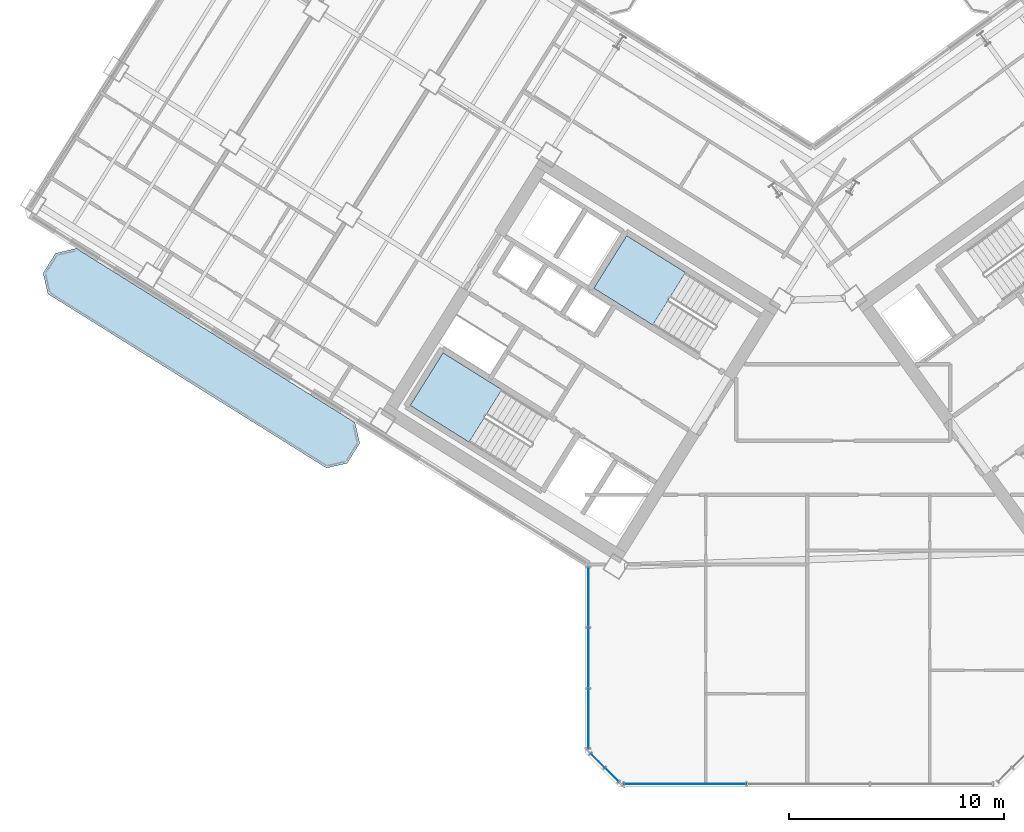
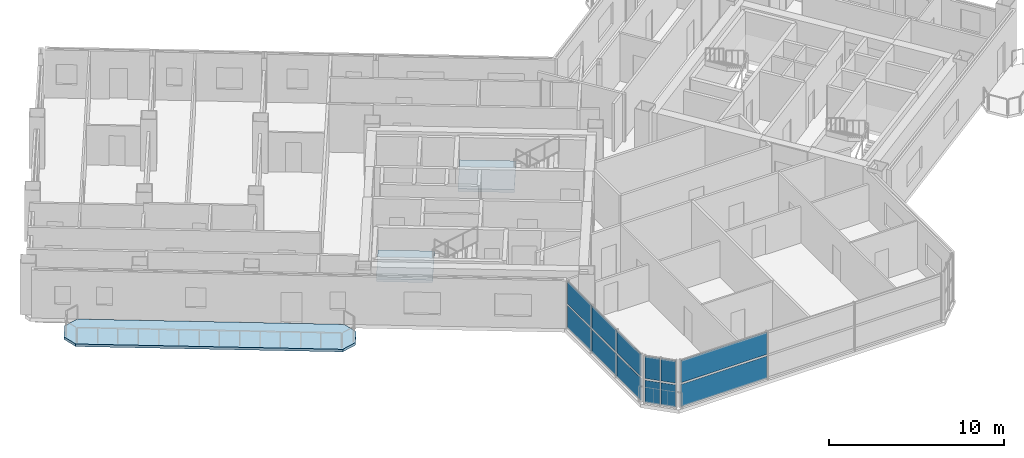
# One storey, part 8 of 21: 12 plates, 3 slabs, 5 elements without a shape of their own.
"""IFC4 building model written with IfcOpenShell, lengths in metres."""

from ifc_helpers import new_model, si_unit, direction, frame, origin, origin_2d, place, context, subcontext, project, spatial, polyline, rectangle, outline, extrude, source, transform, mapped, material, layer, layer_set, type_object, element, aggregate, save


model = new_model("IFC4")

# Units and contexts
model_context = context("Model", 3, precision=1e-05, world=origin(), true_north=direction((0.0, 1.0)))
body_context = subcontext(model_context, "Body", "Model", "MODEL_VIEW")
ifc_project = project(units=[si_unit("LENGTHUNIT", "METRE"), si_unit("AREAUNIT", "SQUARE_METRE"), si_unit("VOLUMEUNIT", "CUBIC_METRE"), si_unit("PLANEANGLEUNIT", "RADIAN"), si_unit("MASSUNIT", "GRAM", prefix="KILO")], contexts=[model_context])

# Site, building, storey
site_placement = place(None, origin())
site = spatial("IfcSite", under=ifc_project, at=site_placement, CompositionType="ELEMENT")
building_placement = place(site_placement, origin())
building = spatial("IfcBuilding", under=site, at=building_placement, Name="Tlacorven Tower", CompositionType="ELEMENT")
storey_placement = place(building_placement, frame((0.0, 0.0, 105.300048828125)))
storey = spatial("IfcBuildingStorey", under=building, at=storey_placement, Name="L26", CompositionType="ELEMENT", Elevation=105.300048828125)

# Slab
ifc_material_1 = material(Name="Precast concrete C45/55", Category="concrete")
ifc_layer_1 = layer(ifc_material_1, 0.179931640625)
ifc_layer_set_1 = layer_set([ifc_layer_1], Name="Precast concrete C45/55")
slab_type_1 = type_object("IfcSlabType", Name="SL-BAL-180", PredefinedType="USERDEFINED", material=ifc_layer_set_1)
slab_1_placement = place(storey_placement, frame((0.0, 0.0, -0.179931640625)))
element("IfcSlab", 1, at=slab_1_placement, inside=storey, type_object=slab_type_1, Name="L26 West Wing Balcony Ribbon OUT", ObjectType="BALCONY SLAB", PredefinedType="USERDEFINED", context=body_context, shape_type="SweptSolid", body=[
    extrude(outline(polyline([(20.88671875, 18.78271484375), (7.91162109375, 26.890625), (6.947021484375, 26.66796875), (6.366943359375, 25.7392578125), (6.589599609375, 24.774658203125), (19.564697265625, 16.6669921875), (20.529296875, 16.8896484375), (21.109375, 17.818115234375), (20.88671875, 18.78271484375)])), origin(), (0.0, 0.0, 1.0), 0.179931640625),
])

# Stair, slab
ifc_material_2 = material(Name="Concrete C40/50", Category="concrete")
stair_type = type_object("IfcStairType", Name="ST-CORE-DLG", PredefinedType="HALF_TURN_STAIR", material=ifc_material_2)
stair_1_placement = place(storey_placement, origin())
stair_1 = element("IfcStair", 2, at=stair_1_placement, inside=storey, type_object=stair_type, Name="L26 Protected Exit Stair West 1", PredefinedType="HALF_TURN_STAIR")
ifc_layer_2 = layer(ifc_material_2, 0.199951171875)
ifc_layer_set_2 = layer_set([ifc_layer_2], Name="Concrete C40/50")
slab_type_2 = type_object("IfcSlabType", Name="SL-LND-200", PredefinedType="LANDING", material=ifc_layer_set_2)
slab_2_placement = place(storey_placement, frame((0.0, 0.0, 1.599853515625)))
slab_2 = element("IfcSlab", 3, at=slab_2_placement, type_object=slab_type_2, Name="ST-W1 landing 1", PredefinedType="LANDING", context=body_context, shape_type="SweptSolid", body=[
    extrude(outline(polyline([(27.728515625, 20.315185546875), (24.9892578125, 22.02685546875), (23.463134765625, 19.58447265625), (26.2021484375, 17.872802734375), (27.728515625, 20.315185546875)])), origin(), (0.0, 0.0, 1.0), 0.2001953125),
])
aggregate(stair_1, [slab_2])

stair_2_placement = place(storey_placement, origin())
stair_2 = element("IfcStair", 4, at=stair_2_placement, inside=storey, type_object=stair_type, Name="L26 Protected Exit Stair West 2", PredefinedType="HALF_TURN_STAIR")
slab_3_placement = place(storey_placement, frame((0.0, 0.0, 1.599853515625)))
slab_3 = element("IfcSlab", 5, at=slab_3_placement, type_object=slab_type_2, Name="ST-W2 landing 1", PredefinedType="LANDING", context=body_context, shape_type="SweptSolid", body=[
    extrude(outline(polyline([(36.280029296875, 25.772705078125), (33.540771484375, 27.484375), (32.0146484375, 25.0419921875), (34.75390625, 23.33056640625), (36.280029296875, 25.772705078125)])), origin(), (0.0, 0.0, 1.0), 0.2001953125),
])
aggregate(stair_2, [slab_3])

# Curtain wall, plates
ifc_material_3 = material(Name="Dark solar low-E double glazing in aluminium frame", Category="aluminium")
curtain_wall_type = type_object("IfcCurtainWallType", Name="CW-TWR-MID", PredefinedType="USERDEFINED", material=ifc_material_3)
curtain_wall_1_placement = place(storey_placement, origin())
curtain_wall_1 = element("IfcCurtainWall", 6, at=curtain_wall_1_placement, inside=storey, type_object=curtain_wall_type, Name="L26 CW-TWR-MID Curtain Wall 133", ObjectType="UNITISED CURTAIN WALL", PredefinedType="USERDEFINED")
ifc_material_4 = material(Name="High-wind dark solar tempered low-E glazing", Category="glass")
ifc_layer_3 = layer(ifc_material_4, 0.028076171875)
ifc_layer_set_3 = layer_set([ifc_layer_3], Name="High-wind dark solar tempered low-E glazing")
plate_type = type_object("IfcPlateType", Name="CWP-03", PredefinedType="CURTAIN_PANEL", material=ifc_layer_set_3)
shared_shape_1 = source(origin(), body_context, "Body", "SweptSolid", [
    extrude(rectangle(XDim=0.885498046875, YDim=0.028076171875, at=origin_2d()), origin(), (0.0, 0.0, 1.0), 1.552978515625),
])
plate_1_placement = place(storey_placement, frame((32.8427734375, 2.38330078125, 0.06103515625), z_axis=(0.0, 0.0, 1.0), x_axis=(-0.707106781187, 0.707106781187, 0.0)))
plate_1 = element("IfcPlate", 7, at=plate_1_placement, type_object=plate_type, Name="CW-L26-133 Glazing Panel 1", PredefinedType="CURTAIN_PANEL", context=body_context, shape_type="MappedRepresentation", body=[
    mapped(shared_shape_1, transform((0.0, 0.0, 0.0), scale=1.0)),
])
plate_2_placement = place(storey_placement, frame((32.8427734375, 2.38330078125, 1.73583984375), z_axis=(0.0, 0.0, 1.0), x_axis=(-0.707106781187, 0.707106781187, 0.0)))
plate_2 = element("IfcPlate", 8, at=plate_2_placement, type_object=plate_type, Name="CW-L26-133 Glazing Panel 2", PredefinedType="CURTAIN_PANEL", context=body_context, shape_type="MappedRepresentation", body=[
    mapped(shared_shape_1, transform((0.0, 0.0, 0.0), scale=1.0)),
])
plate_3_placement = place(storey_placement, frame((32.183349609375, 3.04296875, 0.06103515625), z_axis=(0.0, 0.0, 1.0), x_axis=(-0.707106781187, 0.707106781187, 0.0)))
plate_3 = element("IfcPlate", 9, at=plate_3_placement, type_object=plate_type, Name="CW-L26-133 Glazing Panel 3", PredefinedType="CURTAIN_PANEL", context=body_context, shape_type="MappedRepresentation", body=[
    mapped(shared_shape_1, transform((0.0, 0.0, 0.0), scale=1.0)),
])
plate_4_placement = place(storey_placement, frame((32.183349609375, 3.04296875, 1.73583984375), z_axis=(0.0, 0.0, 1.0), x_axis=(-0.707106781187, 0.707106781187, 0.0)))
plate_4 = element("IfcPlate", 10, at=plate_4_placement, type_object=plate_type, Name="CW-L26-133 Glazing Panel 4", PredefinedType="CURTAIN_PANEL", context=body_context, shape_type="MappedRepresentation", body=[
    mapped(shared_shape_1, transform((0.0, 0.0, 0.0), scale=1.0)),
])
aggregate(curtain_wall_1, [plate_1, plate_2, plate_3, plate_4])

curtain_wall_2_placement = place(storey_placement, origin())
curtain_wall_2 = element("IfcCurtainWall", 11, at=curtain_wall_2_placement, inside=storey, type_object=curtain_wall_type, Name="L26 CW-TWR-MID Curtain Wall 132", ObjectType="UNITISED CURTAIN WALL", PredefinedType="USERDEFINED")
shared_shape_2 = source(origin(), body_context, "Body", "SweptSolid", [
    extrude(rectangle(XDim=5.67626953125, YDim=0.028076171875, at=origin_2d()), origin(), (0.0, 0.0, 1.0), 1.552978515625),
])
plate_5_placement = place(storey_placement, frame((36.260498046875, 1.9599609375, 0.06103515625), z_axis=(0.0, 0.0, 1.0), x_axis=(-1.0, 0.0, 0.0)))
plate_5 = element("IfcPlate", 12, at=plate_5_placement, type_object=plate_type, Name="CW-L26-132 Glazing Panel 5", PredefinedType="CURTAIN_PANEL", context=body_context, shape_type="MappedRepresentation", body=[
    mapped(shared_shape_2, transform((0.0, 0.0, 0.0), scale=1.0)),
])
plate_6_placement = place(storey_placement, frame((36.260498046875, 1.9599609375, 1.73583984375), z_axis=(0.0, 0.0, 1.0), x_axis=(-1.0, 0.0, 0.0)))
plate_6 = element("IfcPlate", 13, at=plate_6_placement, type_object=plate_type, Name="CW-L26-132 Glazing Panel 6", PredefinedType="CURTAIN_PANEL", context=body_context, shape_type="MappedRepresentation", body=[
    mapped(shared_shape_2, transform((0.0, 0.0, 0.0), scale=1.0)),
])
aggregate(curtain_wall_2, [plate_5, plate_6])

curtain_wall_3_placement = place(storey_placement, origin())
curtain_wall_3 = element("IfcCurtainWall", 14, at=curtain_wall_3_placement, inside=storey, type_object=curtain_wall_type, Name="L26 CW-TWR-MID Curtain Wall 134", ObjectType="UNITISED CURTAIN WALL", PredefinedType="USERDEFINED")
shared_shape_3 = source(origin(), body_context, "Body", "SweptSolid", [
    extrude(rectangle(XDim=2.759521484375, YDim=0.028076171875, at=origin_2d()), origin(), (0.0, 0.0, 1.0), 1.552978515625),
])
plate_7_placement = place(storey_placement, frame((31.760009765625, 5.001953125, 0.06103515625), z_axis=(0.0, 0.0, 1.0), x_axis=(0.0, 1.0, 0.0)))
plate_7 = element("IfcPlate", 15, at=plate_7_placement, type_object=plate_type, Name="CW-L26-134 Glazing Panel 1", PredefinedType="CURTAIN_PANEL", context=body_context, shape_type="MappedRepresentation", body=[
    mapped(shared_shape_3, transform((0.0, 0.0, 0.0), scale=1.0)),
])
plate_8_placement = place(storey_placement, frame((31.760009765625, 5.001953125, 1.73583984375), z_axis=(0.0, 0.0, 1.0), x_axis=(0.0, 1.0, 0.0)))
plate_8 = element("IfcPlate", 16, at=plate_8_placement, type_object=plate_type, Name="CW-L26-134 Glazing Panel 2", PredefinedType="CURTAIN_PANEL", context=body_context, shape_type="MappedRepresentation", body=[
    mapped(shared_shape_3, transform((0.0, 0.0, 0.0), scale=1.0)),
])
plate_9_placement = place(storey_placement, frame((31.760009765625, 10.6474609375, 0.06103515625), z_axis=(0.0, 0.0, 1.0), x_axis=(0.0, 1.0, 0.0)))
plate_9 = element("IfcPlate", 17, at=plate_9_placement, type_object=plate_type, Name="CW-L26-134 Glazing Panel 5", PredefinedType="CURTAIN_PANEL", context=body_context, shape_type="MappedRepresentation", body=[
    mapped(shared_shape_3, transform((0.0, 0.0, 0.0), scale=1.0)),
])
plate_10_placement = place(storey_placement, frame((31.760009765625, 10.6474609375, 1.73583984375), z_axis=(0.0, 0.0, 1.0), x_axis=(0.0, 1.0, 0.0)))
plate_10 = element("IfcPlate", 18, at=plate_10_placement, type_object=plate_type, Name="CW-L26-134 Glazing Panel 6", PredefinedType="CURTAIN_PANEL", context=body_context, shape_type="MappedRepresentation", body=[
    mapped(shared_shape_3, transform((0.0, 0.0, 0.0), scale=1.0)),
])
shared_shape_4 = source(origin(), body_context, "Body", "SweptSolid", [
    extrude(rectangle(XDim=2.7919921875, YDim=0.028076171875, at=origin_2d()), origin(), (0.0, 0.0, 1.0), 1.552978515625),
])
plate_11_placement = place(storey_placement, frame((31.760009765625, 7.82470703125, 0.06103515625), z_axis=(0.0, 0.0, 1.0), x_axis=(0.0, 1.0, 0.0)))
plate_11 = element("IfcPlate", 19, at=plate_11_placement, type_object=plate_type, Name="CW-L26-134 Glazing Panel 3", PredefinedType="CURTAIN_PANEL", context=body_context, shape_type="MappedRepresentation", body=[
    mapped(shared_shape_4, transform((0.0, 0.0, 0.0), scale=1.0)),
])
plate_12_placement = place(storey_placement, frame((31.760009765625, 7.82470703125, 1.73583984375), z_axis=(0.0, 0.0, 1.0), x_axis=(0.0, 1.0, 0.0)))
plate_12 = element("IfcPlate", 20, at=plate_12_placement, type_object=plate_type, Name="CW-L26-134 Glazing Panel 4", PredefinedType="CURTAIN_PANEL", context=body_context, shape_type="MappedRepresentation", body=[
    mapped(shared_shape_4, transform((0.0, 0.0, 0.0), scale=1.0)),
])
aggregate(curtain_wall_3, [plate_7, plate_8, plate_11, plate_12, plate_9, plate_10])

save(model, "model.ifc")
